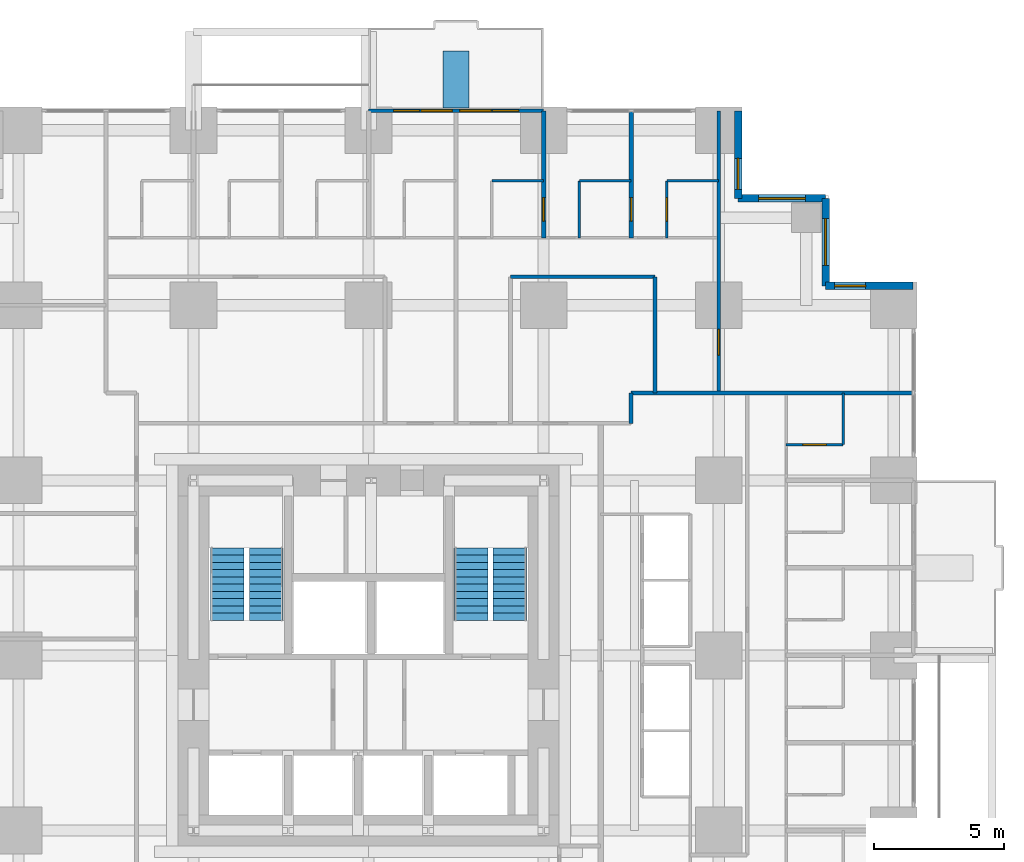
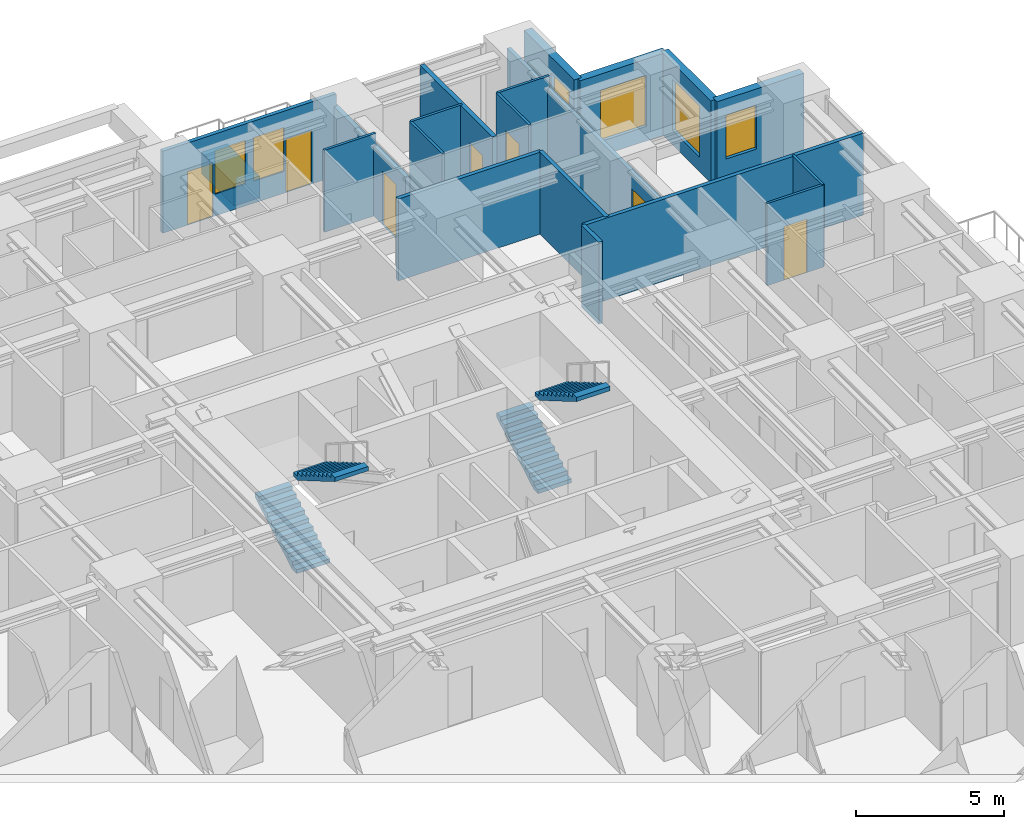
# One storey, part 13 of 14: 20 walls, 7 doors, 6 windows, 4 stair flights, 13 openings, 2 elements without a shape of their own.
"""IFC4 building model written with IfcOpenShell, lengths in metres."""

from ifc_helpers import new_model, si_unit, direction, frame, frame_2d, origin, place, context, subcontext, project, spatial, polyline, rectangle, outline, extrude, material, layer, layer_set, type_object, element, fill, aggregate, save


model = new_model("IFC4")

# Units and contexts
model_context = context("Model", 3, precision=1e-05, world=origin(), true_north=direction((0.0, 1.0)))
body_context = subcontext(model_context, "Body", "Model", "MODEL_VIEW")
ifc_project = project(units=[si_unit("LENGTHUNIT", "METRE"), si_unit("AREAUNIT", "SQUARE_METRE"), si_unit("VOLUMEUNIT", "CUBIC_METRE"), si_unit("PLANEANGLEUNIT", "RADIAN"), si_unit("MASSUNIT", "GRAM", prefix="KILO")], contexts=[model_context])

# Site, building, storey
site_placement = place(None, origin())
site = spatial("IfcSite", under=ifc_project, at=site_placement, CompositionType="ELEMENT")
building_placement = place(site_placement, origin())
building = spatial("IfcBuilding", under=site, at=building_placement, Name="Nyansa Garden Tower", CompositionType="ELEMENT")
storey_placement = place(building_placement, frame((0.0, 0.0, 57.60009765625)))
storey = spatial("IfcBuildingStorey", under=building, at=storey_placement, Name="L15", CompositionType="ELEMENT", Elevation=57.60009765625)

# Wall, opening, door
ifc_material_1 = material(Name="Dense blockwork, plastered both sides, 55 dB", Category="masonry")
ifc_layer_1 = layer(ifc_material_1, 0.175048828125)
ifc_layer_set_1 = layer_set([ifc_layer_1], Name="Acoustic party wall PW175")
wall_type_1 = type_object("IfcWallType", Name="Acoustic party wall PW175", PredefinedType="PARTITIONING", material=ifc_layer_set_1)
wall_1_placement = place(storey_placement, frame((27.0, 36.35009765625, 0.0), z_axis=(0.0, 0.0, 1.0), x_axis=(0.0, 1.0, 0.0)))
wall_1 = element("IfcWall", 1, at=wall_1_placement, inside=storey, type_object=wall_type_1, Name="Party wall", PredefinedType="PARTITIONING", context=body_context, shape_type="SweptSolid", body=[
    extrude(rectangle(XDim=4.8837890625, YDim=0.175048828125, at=frame_2d((2.44189453125, 0.0))), origin(), (0.0, 0.0, 1.0), 2.876953125),
])
opening_1_placement = place(wall_1_placement, frame((0.64990234375, 0.0, 0.0)))
opening_1 = element("IfcOpeningElement", 2, at=opening_1_placement, cuts=wall_1, Name="Opening D02", PredefinedType="OPENING", context=body_context, shape_type="SweptSolid", body=[
    extrude(rectangle(XDim=0.89990234375, YDim=2.199951171875, at=frame_2d((0.449951171875, 1.10009765625))), frame((0.0, 0.097412109375, 0.0), z_axis=(0.0, -1.0, 0.0), x_axis=(1.0, 0.0, 0.0)), (0.0, 0.0, 1.0), 0.195068359375),
])
ifc_material_2 = material(Name="Timber flush door", Category="wood")
door_type_1 = type_object("IfcDoorType", Name="En-suite door D02 900x2200", OperationType="SINGLE_SWING_RIGHT", PredefinedType="DOOR", material=ifc_material_2)
door_1_placement = place(opening_1_placement, origin())
door_1 = element("IfcDoor", 3, at=door_1_placement, inside=storey, type_object=door_type_1, Name="Door L15-055", OperationType="SINGLE_SWING_RIGHT", OverallHeight=2.199951171875, OverallWidth=0.89990234375, PredefinedType="DOOR", context=body_context, shape_type="SweptSolid", body=[
    extrude(rectangle(XDim=0.89990234375, YDim=2.199951171875, at=frame_2d((0.449951171875, 1.10009765625))), frame((0.0, 0.02490234375, 0.0), z_axis=(0.0, -1.0, 0.0), x_axis=(1.0, 0.0, 0.0)), (0.0, 0.0, 1.0), 0.050048828125),
])
fill(opening_1, door_1)

wall_2_placement = place(storey_placement, frame((30.375, 36.35009765625, 0.0), z_axis=(0.0, 0.0, 1.0), x_axis=(0.0, 1.0, 0.0)))
wall_2 = element("IfcWall", 4, at=wall_2_placement, inside=storey, type_object=wall_type_1, Name="Party wall", PredefinedType="PARTITIONING", context=body_context, shape_type="SweptSolid", body=[
    extrude(rectangle(XDim=4.8837890625, YDim=0.175048828125, at=frame_2d((2.44189453125, 0.0))), origin(), (0.0, 0.0, 1.0), 3.375),
])
opening_2_placement = place(wall_2_placement, frame((0.64990234375, 0.0, 0.0)))
opening_2 = element("IfcOpeningElement", 5, at=opening_2_placement, cuts=wall_2, Name="Opening D02", PredefinedType="OPENING", context=body_context, shape_type="SweptSolid", body=[
    extrude(rectangle(XDim=0.89990234375, YDim=2.199951171875, at=frame_2d((0.449951171875, 1.10009765625))), frame((0.0, 0.097412109375, 0.0), z_axis=(0.0, -1.0, 0.0), x_axis=(1.0, 0.0, 0.0)), (0.0, 0.0, 1.0), 0.195068359375),
])
door_2_placement = place(opening_2_placement, origin())
door_2 = element("IfcDoor", 6, at=door_2_placement, inside=storey, type_object=door_type_1, Name="Door L15-053", OperationType="SINGLE_SWING_RIGHT", OverallHeight=2.199951171875, OverallWidth=0.89990234375, PredefinedType="DOOR", context=body_context, shape_type="SweptSolid", body=[
    extrude(rectangle(XDim=0.89990234375, YDim=2.199951171875, at=frame_2d((0.449951171875, 1.10009765625))), frame((0.0, 0.02490234375, 0.0), z_axis=(0.0, -1.0, 0.0), x_axis=(1.0, 0.0, 0.0)), (0.0, 0.0, 1.0), 0.050048828125),
])
fill(opening_2, door_2)

# Wall, openings, doors, windows
ifc_material_3 = material(Name="Black aluminium framed glazed screen", Category="aluminium")
ifc_layer_2 = layer(ifc_material_3, 0.14990234375)
ifc_layer_set_2 = layer_set([ifc_layer_2], Name="Balcony screen wall BW150")
wall_type_2 = type_object("IfcWallType", Name="Balcony screen wall BW150", PredefinedType="SOLIDWALL", material=ifc_layer_set_2)
wall_3_placement = place(storey_placement, frame((20.25, 41.25, 0.0), z_axis=(0.0, 0.0, 1.0), x_axis=(1.0, 0.0, 0.0)))
wall_3 = element("IfcWall", 7, at=wall_3_placement, inside=storey, type_object=wall_type_2, Name="Glazed screen wall L15 N", PredefinedType="SOLIDWALL", context=body_context, shape_type="SweptSolid", body=[
    extrude(rectangle(XDim=6.75, YDim=0.14990234375, at=frame_2d((3.375, 0.0))), origin(), (0.0, 0.0, 1.0), 3.375),
])
opening_3_placement = place(wall_3_placement, frame((0.96240234375, 0.0, 0.0)))
opening_3 = element("IfcOpeningElement", 8, at=opening_3_placement, cuts=wall_3, Name="Opening D20", PredefinedType="OPENING", context=body_context, shape_type="SweptSolid", body=[
    extrude(rectangle(XDim=1.0, YDim=2.199951171875, at=frame_2d((0.5, 1.10009765625))), frame((0.0, 0.0849609375, 0.0), z_axis=(0.0, -1.0, 0.0), x_axis=(1.0, 0.0, 0.0)), (0.0, 0.0, 1.0), 0.169921875),
])
opening_4_placement = place(wall_3_placement, frame((2.02490234375, 0.0, 0.89990234375)))
opening_4 = element("IfcOpeningElement", 9, at=opening_4_placement, cuts=wall_3, Name="Opening W6", PredefinedType="OPENING", context=body_context, shape_type="SweptSolid", body=[
    extrude(rectangle(XDim=1.199951171875, YDim=1.800048828125, at=frame_2d((0.60009765625, 0.89990234375))), frame((0.0, 0.0849609375, 0.0), z_axis=(0.0, -1.0, 0.0), x_axis=(1.0, 0.0, 0.0)), (0.0, 0.0, 1.0), 0.169921875),
])
opening_5_placement = place(wall_3_placement, frame((4.78759765625, 0.0, 0.0)))
opening_5 = element("IfcOpeningElement", 10, at=opening_5_placement, cuts=wall_3, Name="Opening D20", PredefinedType="OPENING", context=body_context, shape_type="SweptSolid", body=[
    extrude(rectangle(XDim=1.0, YDim=2.199951171875, at=frame_2d((0.5, 1.10009765625))), frame((0.0, 0.0849609375, 0.0), z_axis=(0.0, -1.0, 0.0), x_axis=(1.0, 0.0, 0.0)), (0.0, 0.0, 1.0), 0.169921875),
])
opening_6_placement = place(wall_3_placement, frame((3.52490234375, 0.0, 0.89990234375)))
opening_6 = element("IfcOpeningElement", 11, at=opening_6_placement, cuts=wall_3, Name="Opening W6", PredefinedType="OPENING", context=body_context, shape_type="SweptSolid", body=[
    extrude(rectangle(XDim=1.199951171875, YDim=1.800048828125, at=frame_2d((0.60009765625, 0.89990234375))), frame((0.0, 0.0849609375, 0.0), z_axis=(0.0, -1.0, 0.0), x_axis=(1.0, 0.0, 0.0)), (0.0, 0.0, 1.0), 0.169921875),
])
ifc_material_4 = material(Name="Black aluminium framed glazed door", Category="aluminium")
door_type_2 = type_object("IfcDoorType", Name="Balcony door D20 1000x2200", OperationType="NOTDEFINED", PredefinedType="DOOR", material=ifc_material_4)
door_3_placement = place(opening_3_placement, origin())
door_3 = element("IfcDoor", 12, at=door_3_placement, inside=storey, type_object=door_type_2, Name="Balcony door L15", OperationType="SINGLE_SWING_LEFT", OverallHeight=2.199951171875, OverallWidth=1.0, PredefinedType="DOOR", context=body_context, shape_type="SweptSolid", body=[
    extrude(rectangle(XDim=1.0, YDim=2.199951171875, at=frame_2d((0.5, 1.10009765625))), frame((0.0, 0.02490234375, 0.0), z_axis=(0.0, -1.0, 0.0), x_axis=(1.0, 0.0, 0.0)), (0.0, 0.0, 1.0), 0.050048828125),
])
fill(opening_3, door_3)
door_4_placement = place(opening_5_placement, origin())
door_4 = element("IfcDoor", 13, at=door_4_placement, inside=storey, type_object=door_type_2, Name="Balcony door L15", OperationType="SINGLE_SWING_RIGHT", OverallHeight=2.199951171875, OverallWidth=1.0, PredefinedType="DOOR", context=body_context, shape_type="SweptSolid", body=[
    extrude(rectangle(XDim=1.0, YDim=2.199951171875, at=frame_2d((0.5, 1.10009765625))), frame((0.0, 0.02490234375, 0.0), z_axis=(0.0, -1.0, 0.0), x_axis=(1.0, 0.0, 0.0)), (0.0, 0.0, 1.0), 0.050048828125),
])
fill(opening_5, door_4)
ifc_material_5 = material(Name="Black aluminium frame, dark tinted double glazing", Category="aluminium")
window_type_1 = type_object("IfcWindowType", Name="Balcony window W6 1200x1800", PartitioningType="SINGLE_PANEL", PredefinedType="WINDOW", material=ifc_material_5)
window_1_placement = place(opening_4_placement, origin())
window_1 = element("IfcWindow", 14, at=window_1_placement, inside=storey, type_object=window_type_1, Name="Window L15", OverallHeight=1.800048828125, OverallWidth=1.199951171875, PartitioningType="SINGLE_PANEL", PredefinedType="WINDOW", context=body_context, shape_type="SweptSolid", body=[
    extrude(rectangle(XDim=1.199951171875, YDim=1.800048828125, at=frame_2d((0.60009765625, 0.89990234375))), frame((0.0, 0.030029296875, 0.0), z_axis=(0.0, -1.0, 0.0), x_axis=(1.0, 0.0, 0.0)), (0.0, 0.0, 1.0), 0.06005859375),
])
fill(opening_4, window_1)
window_2_placement = place(opening_6_placement, origin())
window_2 = element("IfcWindow", 15, at=window_2_placement, inside=storey, type_object=window_type_1, Name="Window L15", OverallHeight=1.800048828125, OverallWidth=1.199951171875, PartitioningType="SINGLE_PANEL", PredefinedType="WINDOW", context=body_context, shape_type="SweptSolid", body=[
    extrude(rectangle(XDim=1.199951171875, YDim=1.800048828125, at=frame_2d((0.60009765625, 0.89990234375))), frame((0.0, 0.030029296875, 0.0), z_axis=(0.0, -1.0, 0.0), x_axis=(1.0, 0.0, 0.0)), (0.0, 0.0, 1.0), 0.06005859375),
])
fill(opening_6, window_2)

# Walls
ifc_material_6 = material(Name="Blockwork, plastered both sides", Category="masonry")
ifc_layer_3 = layer(ifc_material_6, 0.14990234375)
ifc_layer_set_3 = layer_set([ifc_layer_3], Name="Partition PW150")
wall_type_3 = type_object("IfcWallType", Name="Partition PW150", PredefinedType="PARTITIONING", material=ifc_layer_set_3)
wall_4_placement = place(storey_placement, frame((25.72509765625, 34.85009765625, 0.0), z_axis=(0.0, 0.0, 1.0), x_axis=(1.0, 0.0, 0.0)))
element("IfcWall", 16, at=wall_4_placement, inside=storey, type_object=wall_type_3, Name="Partition", PredefinedType="PARTITIONING", context=body_context, shape_type="SweptSolid", body=[
    extrude(rectangle(XDim=5.574951171875, YDim=0.14990234375, at=frame_2d((2.78759765625, 0.0))), origin(), (0.0, 0.0, 1.0), 3.375),
])
wall_5_placement = place(storey_placement, frame((30.375, 29.199951171875, 0.0), z_axis=(0.0, 0.0, 1.0), x_axis=(0.0, 1.0, 0.0)))
element("IfcWall", 17, at=wall_5_placement, inside=storey, type_object=wall_type_3, Name="Partition", PredefinedType="PARTITIONING", context=body_context, shape_type="SweptSolid", body=[
    extrude(rectangle(XDim=1.175048828125, YDim=0.14990234375, at=frame_2d((0.58740234375, 0.0))), origin(), (0.0, 0.0, 1.0), 3.375),
])
wall_6_placement = place(storey_placement, frame((30.375, 30.375, 0.0), z_axis=(0.0, 0.0, 1.0), x_axis=(1.0, 0.0, 0.0)))
element("IfcWall", 18, at=wall_6_placement, inside=storey, type_object=wall_type_3, Name="Partition", PredefinedType="PARTITIONING", context=body_context, shape_type="SweptSolid", body=[
    extrude(rectangle(XDim=10.85888671875, YDim=0.14990234375, at=frame_2d((5.429443359375, 0.0))), origin(), (0.0, 0.0, 1.0), 3.375),
])
wall_7_placement = place(storey_placement, frame((31.300048828125, 30.375, 0.0), z_axis=(0.0, 0.0, 1.0), x_axis=(0.0, 1.0, 0.0)))
element("IfcWall", 19, at=wall_7_placement, inside=storey, type_object=wall_type_3, Name="Partition", PredefinedType="PARTITIONING", context=body_context, shape_type="SweptSolid", body=[
    extrude(rectangle(XDim=4.47509765625, YDim=0.14990234375, at=frame_2d((2.237548828125, 0.0))), origin(), (0.0, 0.0, 1.0), 3.375),
])

# Wall, opening, door
wall_8_placement = place(storey_placement, frame((33.75, 30.375, 0.0), z_axis=(0.0, 0.0, 1.0), x_axis=(0.0, 1.0, 0.0)))
wall_8 = element("IfcWall", 20, at=wall_8_placement, inside=storey, type_object=wall_type_3, Name="Partition", PredefinedType="PARTITIONING", context=body_context, shape_type="SweptSolid", body=[
    extrude(rectangle(XDim=10.85888671875, YDim=0.14990234375, at=frame_2d((5.429443359375, 0.0))), origin(), (0.0, 0.0, 1.0), 2.876953125),
])
opening_7_placement = place(wall_8_placement, frame((1.449951171875, 0.0, 0.0)))
opening_7 = element("IfcOpeningElement", 21, at=opening_7_placement, cuts=wall_8, Name="Opening D03", PredefinedType="OPENING", context=body_context, shape_type="SweptSolid", body=[
    extrude(rectangle(XDim=1.0, YDim=2.199951171875, at=frame_2d((0.5, 1.10009765625))), frame((0.0, 0.0849609375, 0.0), z_axis=(0.0, -1.0, 0.0), x_axis=(1.0, 0.0, 0.0)), (0.0, 0.0, 1.0), 0.169921875),
])
ifc_material_7 = material(Name="Timber flush door, 60 minute fire resisting", Category="wood")
door_type_3 = type_object("IfcDoorType", Name="Cluster entrance door D03 1000x2200", OperationType="SINGLE_SWING_LEFT", PredefinedType="DOOR", material=ifc_material_7)
door_5_placement = place(opening_7_placement, origin())
door_5 = element("IfcDoor", 22, at=door_5_placement, inside=storey, type_object=door_type_3, Name="Door L15-049", OperationType="SINGLE_SWING_LEFT", OverallHeight=2.199951171875, OverallWidth=1.0, PredefinedType="DOOR", context=body_context, shape_type="SweptSolid", body=[
    extrude(rectangle(XDim=1.0, YDim=2.199951171875, at=frame_2d((0.5, 1.10009765625))), frame((0.0, 0.02490234375, 0.0), z_axis=(0.0, -1.0, 0.0), x_axis=(1.0, 0.0, 0.0)), (0.0, 0.0, 1.0), 0.050048828125),
])
fill(opening_7, door_5)

# Wall, opening, window
ifc_material_8 = material(Name="Turquoise glazed tile on concrete blockwork", Category="masonry")
ifc_layer_4 = layer(ifc_material_8, 0.300048828125)
ifc_layer_set_4 = layer_set([ifc_layer_4], Name="Tiled corner wall TW300")
wall_type_4 = type_object("IfcWallType", Name="Tiled corner wall TW300", PredefinedType="SOLIDWALL", material=ifc_layer_set_4)
wall_9_placement = place(storey_placement, frame((41.25, 34.5, 0.0), z_axis=(0.0, 0.0, 1.0), x_axis=(-1.0, 0.0, 0.0)))
wall_9 = element("IfcWall", 23, at=wall_9_placement, inside=storey, type_object=wall_type_4, Name="Tiled corner wall L15", PredefinedType="SOLIDWALL", context=body_context, shape_type="SweptSolid", body=[
    extrude(rectangle(XDim=3.375, YDim=0.300048828125, at=frame_2d((1.6875, 0.0))), origin(), (0.0, 0.0, 1.0), 3.375),
])
opening_8_placement = place(wall_9_placement, frame((1.83251953125, 0.0, 0.89990234375)))
opening_8 = element("IfcOpeningElement", 24, at=opening_8_placement, cuts=wall_9, Name="Opening W4", PredefinedType="OPENING", context=body_context, shape_type="SweptSolid", body=[
    extrude(rectangle(XDim=1.199951171875, YDim=1.800048828125, at=frame_2d((0.60009765625, 0.89990234375))), frame((0.0, 0.159912109375, 0.0), z_axis=(0.0, -1.0, 0.0), x_axis=(1.0, 0.0, 0.0)), (0.0, 0.0, 1.0), 0.320068359375),
])
ifc_material_9 = material(Name="Black aluminium frame, dark tinted double glazing", Category="aluminium")
window_type_2 = type_object("IfcWindowType", Name="Window W4 1200x1800", PartitioningType="SINGLE_PANEL", PredefinedType="WINDOW", material=ifc_material_9)
window_3_placement = place(opening_8_placement, origin())
window_3 = element("IfcWindow", 25, at=window_3_placement, inside=storey, type_object=window_type_2, Name="Corner window L15", OverallHeight=1.800048828125, OverallWidth=1.199951171875, PartitioningType="SINGLE_PANEL", PredefinedType="WINDOW", context=body_context, shape_type="SweptSolid", body=[
    extrude(rectangle(XDim=1.199951171875, YDim=1.800048828125, at=frame_2d((0.60009765625, 0.89990234375))), frame((0.0, 0.030029296875, 0.0), z_axis=(0.0, -1.0, 0.0), x_axis=(1.0, 0.0, 0.0)), (0.0, 0.0, 1.0), 0.06005859375),
])
fill(opening_8, window_3)

wall_10_placement = place(storey_placement, frame((37.875, 34.5, 0.0), z_axis=(0.0, 0.0, 1.0), x_axis=(0.0, 1.0, 0.0)))
wall_10 = element("IfcWall", 26, at=wall_10_placement, inside=storey, type_object=wall_type_4, Name="Tiled corner wall L15", PredefinedType="SOLIDWALL", context=body_context, shape_type="SweptSolid", body=[
    extrude(rectangle(XDim=3.375, YDim=0.300048828125, at=frame_2d((1.6875, 0.0))), origin(), (0.0, 0.0, 1.0), 3.375),
])
opening_9_placement = place(wall_10_placement, frame((0.78759765625, 0.0, 0.60009765625)))
opening_9 = element("IfcOpeningElement", 27, at=opening_9_placement, cuts=wall_10, Name="Opening W2", PredefinedType="OPENING", context=body_context, shape_type="SweptSolid", body=[
    extrude(rectangle(XDim=1.800048828125, YDim=2.10009765625, at=frame_2d((0.89990234375, 1.050048828125))), frame((0.0, 0.159912109375, 0.0), z_axis=(0.0, -1.0, 0.0), x_axis=(1.0, 0.0, 0.0)), (0.0, 0.0, 1.0), 0.320068359375),
])
ifc_material_10 = material(Name="Black aluminium frame, dark tinted double glazing", Category="aluminium")
window_type_3 = type_object("IfcWindowType", Name="Window W2 1800x2100", PartitioningType="SINGLE_PANEL", PredefinedType="WINDOW", material=ifc_material_10)
window_4_placement = place(opening_9_placement, origin())
window_4 = element("IfcWindow", 28, at=window_4_placement, inside=storey, type_object=window_type_3, Name="Corner window L15", OverallHeight=2.10009765625, OverallWidth=1.800048828125, PartitioningType="SINGLE_PANEL", PredefinedType="WINDOW", context=body_context, shape_type="SweptSolid", body=[
    extrude(rectangle(XDim=1.800048828125, YDim=2.10009765625, at=frame_2d((0.89990234375, 1.050048828125))), frame((0.0, 0.030029296875, 0.0), z_axis=(0.0, -1.0, 0.0), x_axis=(1.0, 0.0, 0.0)), (0.0, 0.0, 1.0), 0.06005859375),
])
fill(opening_9, window_4)

wall_11_placement = place(storey_placement, frame((37.875, 37.875, 0.0), z_axis=(0.0, 0.0, 1.0), x_axis=(-1.0, 0.0, 0.0)))
wall_11 = element("IfcWall", 29, at=wall_11_placement, inside=storey, type_object=wall_type_4, Name="Tiled corner wall L15", PredefinedType="SOLIDWALL", context=body_context, shape_type="SweptSolid", body=[
    extrude(rectangle(XDim=3.375, YDim=0.300048828125, at=frame_2d((1.6875, 0.0))), origin(), (0.0, 0.0, 1.0), 3.375),
])
opening_10_placement = place(wall_11_placement, frame((0.78759765625, 0.0, 0.60009765625)))
opening_10 = element("IfcOpeningElement", 30, at=opening_10_placement, cuts=wall_11, Name="Opening W2", PredefinedType="OPENING", context=body_context, shape_type="SweptSolid", body=[
    extrude(rectangle(XDim=1.800048828125, YDim=2.10009765625, at=frame_2d((0.89990234375, 1.050048828125))), frame((0.0, 0.159912109375, 0.0), z_axis=(0.0, -1.0, 0.0), x_axis=(1.0, 0.0, 0.0)), (0.0, 0.0, 1.0), 0.320068359375),
])
window_5_placement = place(opening_10_placement, origin())
window_5 = element("IfcWindow", 31, at=window_5_placement, inside=storey, type_object=window_type_3, Name="Corner window L15", OverallHeight=2.10009765625, OverallWidth=1.800048828125, PartitioningType="SINGLE_PANEL", PredefinedType="WINDOW", context=body_context, shape_type="SweptSolid", body=[
    extrude(rectangle(XDim=1.800048828125, YDim=2.10009765625, at=frame_2d((0.89990234375, 1.050048828125))), frame((0.0, 0.030029296875, 0.0), z_axis=(0.0, -1.0, 0.0), x_axis=(1.0, 0.0, 0.0)), (0.0, 0.0, 1.0), 0.06005859375),
])
fill(opening_10, window_5)

wall_12_placement = place(storey_placement, frame((34.5, 37.875, 0.0), z_axis=(0.0, 0.0, 1.0), x_axis=(0.0, 1.0, 0.0)))
wall_12 = element("IfcWall", 32, at=wall_12_placement, inside=storey, type_object=wall_type_4, Name="Tiled corner wall L15", PredefinedType="SOLIDWALL", context=body_context, shape_type="SweptSolid", body=[
    extrude(rectangle(XDim=3.375, YDim=0.300048828125, at=frame_2d((1.6875, 0.0))), origin(), (0.0, 0.0, 1.0), 3.375),
])
opening_11_placement = place(wall_12_placement, frame((0.342529296875, 0.0, 0.89990234375)))
opening_11 = element("IfcOpeningElement", 33, at=opening_11_placement, cuts=wall_12, Name="Opening W4", PredefinedType="OPENING", context=body_context, shape_type="SweptSolid", body=[
    extrude(rectangle(XDim=1.199951171875, YDim=1.800048828125, at=frame_2d((0.60009765625, 0.89990234375))), frame((0.0, 0.159912109375, 0.0), z_axis=(0.0, -1.0, 0.0), x_axis=(1.0, 0.0, 0.0)), (0.0, 0.0, 1.0), 0.320068359375),
])
window_6_placement = place(opening_11_placement, origin())
window_6 = element("IfcWindow", 34, at=window_6_placement, inside=storey, type_object=window_type_2, Name="Corner window L15", OverallHeight=1.800048828125, OverallWidth=1.199951171875, PartitioningType="SINGLE_PANEL", PredefinedType="WINDOW", context=body_context, shape_type="SweptSolid", body=[
    extrude(rectangle(XDim=1.199951171875, YDim=1.800048828125, at=frame_2d((0.60009765625, 0.89990234375))), frame((0.0, 0.030029296875, 0.0), z_axis=(0.0, -1.0, 0.0), x_axis=(1.0, 0.0, 0.0)), (0.0, 0.0, 1.0), 0.06005859375),
])
fill(opening_11, window_6)

# Walls
ifc_material_11 = material(Name="Concrete C40/50 planter, waterproofed", Category="concrete")
ifc_layer_5 = layer(ifc_material_11, 1.0)
ifc_layer_set_5 = layer_set([ifc_layer_5], Name="Tree planter TP1")
wall_type_5 = type_object("IfcWallType", Name="Tree planter TP1", PredefinedType="USERDEFINED", material=ifc_layer_set_5)
wall_13_placement = place(storey_placement, frame((23.625, 41.35009765625, 0.0), z_axis=(0.0, 0.0, 1.0), x_axis=(0.0, 1.0, 0.0)))
element("IfcWall", 35, at=wall_13_placement, inside=storey, type_object=wall_type_5, Name="Tree planter L15", ObjectType="TREE PLANTER", PredefinedType="USERDEFINED", context=body_context, shape_type="SweptSolid", body=[
    extrude(rectangle(XDim=2.199951171875, YDim=1.0, at=frame_2d((1.10009765625, 0.0))), origin(), (0.0, 0.0, 1.0), 0.89990234375),
])
ifc_material_12 = material(Name="Moisture resistant board on steel studs, tiled", Category="steel")
ifc_layer_6 = layer(ifc_material_12, 0.10009765625)
ifc_layer_set_6 = layer_set([ifc_layer_6], Name="Wet wall PW100")
wall_type_6 = type_object("IfcWallType", Name="Wet wall PW100", PredefinedType="PARTITIONING", material=ifc_layer_set_6)
wall_14_placement = place(storey_placement, frame((25.0, 38.550048828125, 0.0), z_axis=(0.0, 0.0, 1.0), x_axis=(1.0, 0.0, 0.0)))
element("IfcWall", 36, at=wall_14_placement, inside=storey, type_object=wall_type_6, Name="Wet wall", PredefinedType="PARTITIONING", context=body_context, shape_type="SweptSolid", body=[
    extrude(rectangle(XDim=2.0, YDim=0.10009765625, at=frame_2d((1.0, 0.0))), origin(), (0.0, 0.0, 1.0), 3.375),
])
wall_15_placement = place(storey_placement, frame((28.375, 36.35009765625, 0.0), z_axis=(0.0, 0.0, 1.0), x_axis=(0.0, 1.0, 0.0)))
element("IfcWall", 37, at=wall_15_placement, inside=storey, type_object=wall_type_6, Name="Wet wall", PredefinedType="PARTITIONING", context=body_context, shape_type="SweptSolid", body=[
    extrude(rectangle(XDim=2.199951171875, YDim=0.10009765625, at=frame_2d((1.10009765625, 0.0))), origin(), (0.0, 0.0, 1.0), 3.375),
])
wall_16_placement = place(storey_placement, frame((28.375, 38.550048828125, 0.0), z_axis=(0.0, 0.0, 1.0), x_axis=(1.0, 0.0, 0.0)))
element("IfcWall", 38, at=wall_16_placement, inside=storey, type_object=wall_type_6, Name="Wet wall", PredefinedType="PARTITIONING", context=body_context, shape_type="SweptSolid", body=[
    extrude(rectangle(XDim=2.0, YDim=0.10009765625, at=frame_2d((1.0, 0.0))), origin(), (0.0, 0.0, 1.0), 3.375),
])

# Wall, opening, door
wall_17_placement = place(storey_placement, frame((31.75, 36.35009765625, 0.0), z_axis=(0.0, 0.0, 1.0), x_axis=(0.0, 1.0, 0.0)))
wall_17 = element("IfcWall", 39, at=wall_17_placement, inside=storey, type_object=wall_type_6, Name="Wet wall", PredefinedType="PARTITIONING", context=body_context, shape_type="SweptSolid", body=[
    extrude(rectangle(XDim=2.199951171875, YDim=0.10009765625, at=frame_2d((1.10009765625, 0.0))), origin(), (0.0, 0.0, 1.0), 3.375),
])
opening_12_placement = place(wall_17_placement, frame((0.64990234375, 0.0, 0.0)))
opening_12 = element("IfcOpeningElement", 40, at=opening_12_placement, cuts=wall_17, Name="Opening D02", PredefinedType="OPENING", context=body_context, shape_type="SweptSolid", body=[
    extrude(rectangle(XDim=0.89990234375, YDim=2.199951171875, at=frame_2d((0.449951171875, 1.10009765625))), frame((0.0, 0.06005859375, 0.0), z_axis=(0.0, -1.0, 0.0), x_axis=(1.0, 0.0, 0.0)), (0.0, 0.0, 1.0), 0.1201171875),
])
door_6_placement = place(opening_12_placement, origin())
door_6 = element("IfcDoor", 41, at=door_6_placement, inside=storey, type_object=door_type_1, Name="Door L15-051", OperationType="SINGLE_SWING_RIGHT", OverallHeight=2.199951171875, OverallWidth=0.89990234375, PredefinedType="DOOR", context=body_context, shape_type="SweptSolid", body=[
    extrude(rectangle(XDim=0.89990234375, YDim=2.199951171875, at=frame_2d((0.449951171875, 1.10009765625))), frame((0.0, 0.02490234375, 0.0), z_axis=(0.0, -1.0, 0.0), x_axis=(1.0, 0.0, 0.0)), (0.0, 0.0, 1.0), 0.050048828125),
])
fill(opening_12, door_6)

# Wall
wall_18_placement = place(storey_placement, frame((31.75, 38.550048828125, 0.0), z_axis=(0.0, 0.0, 1.0), x_axis=(1.0, 0.0, 0.0)))
element("IfcWall", 42, at=wall_18_placement, inside=storey, type_object=wall_type_6, Name="Wet wall", PredefinedType="PARTITIONING", context=body_context, shape_type="SweptSolid", body=[
    extrude(rectangle(XDim=2.0, YDim=0.10009765625, at=frame_2d((1.0, 0.0))), origin(), (0.0, 0.0, 1.0), 3.375),
])

# Wall, opening, door
wall_19_placement = place(storey_placement, frame((36.35009765625, 28.375, 0.0), z_axis=(0.0, 0.0, 1.0), x_axis=(1.0, 0.0, 0.0)))
wall_19 = element("IfcWall", 43, at=wall_19_placement, inside=storey, type_object=wall_type_6, Name="Wet wall", PredefinedType="PARTITIONING", context=body_context, shape_type="SweptSolid", body=[
    extrude(rectangle(XDim=2.199951171875, YDim=0.10009765625, at=frame_2d((1.10009765625, 0.0))), origin(), (0.0, 0.0, 1.0), 3.375),
])
opening_13_placement = place(wall_19_placement, frame((0.64990234375, 0.0, 0.0)))
opening_13 = element("IfcOpeningElement", 44, at=opening_13_placement, cuts=wall_19, Name="Opening D02", PredefinedType="OPENING", context=body_context, shape_type="SweptSolid", body=[
    extrude(rectangle(XDim=0.89990234375, YDim=2.199951171875, at=frame_2d((0.449951171875, 1.10009765625))), frame((0.0, 0.06005859375, 0.0), z_axis=(0.0, -1.0, 0.0), x_axis=(1.0, 0.0, 0.0)), (0.0, 0.0, 1.0), 0.1201171875),
])
door_7_placement = place(opening_13_placement, origin())
door_7 = element("IfcDoor", 45, at=door_7_placement, inside=storey, type_object=door_type_1, Name="Door L15-046", OperationType="SINGLE_SWING_RIGHT", OverallHeight=2.199951171875, OverallWidth=0.89990234375, PredefinedType="DOOR", context=body_context, shape_type="SweptSolid", body=[
    extrude(rectangle(XDim=0.89990234375, YDim=2.199951171875, at=frame_2d((0.449951171875, 1.10009765625))), frame((0.0, 0.02490234375, 0.0), z_axis=(0.0, -1.0, 0.0), x_axis=(1.0, 0.0, 0.0)), (0.0, 0.0, 1.0), 0.050048828125),
])
fill(opening_13, door_7)

# Wall
wall_20_placement = place(storey_placement, frame((38.550048828125, 28.375, 0.0), z_axis=(0.0, 0.0, 1.0), x_axis=(0.0, 1.0, 0.0)))
element("IfcWall", 46, at=wall_20_placement, inside=storey, type_object=wall_type_6, Name="Wet wall", PredefinedType="PARTITIONING", context=body_context, shape_type="SweptSolid", body=[
    extrude(rectangle(XDim=2.0, YDim=0.10009765625, at=frame_2d((1.0, 0.0))), origin(), (0.0, 0.0, 1.0), 3.375),
])

# Stair, stair flights
ifc_material_13 = material(Name="Precast concrete C40/50", Category="concrete")
stair_type_1 = type_object("IfcStairType", Name="Stair S1 164x280", PredefinedType="HALF_TURN_STAIR", material=ifc_material_13)
stair_1_placement = place(storey_placement, origin())
stair_1 = element("IfcStair", 47, at=stair_1_placement, inside=storey, type_object=stair_type_1, Name="Stair S1 L15", PredefinedType="HALF_TURN_STAIR")
ifc_material_14 = material(Name="Precast concrete C40/50", Category="concrete")
stair_flight_type_1 = type_object("IfcStairFlightType", Name="Stair flight S1 164x280x11", PredefinedType="STRAIGHT", material=ifc_material_14)
stair_flight_1_placement = place(storey_placement, frame((14.800048828125, 21.60009765625, 0.0), z_axis=(0.0, 0.0, 1.0), x_axis=(0.0, 1.0, 0.0)))
stair_flight_1 = element("IfcStairFlight", 48, at=stair_flight_1_placement, type_object=stair_flight_type_1, Name="S1 flight 1", NumberOfRisers=11, NumberOfTreads=10, PredefinedType="STRAIGHT", RiserHeight=0.163636364, TreadLength=0.28, context=body_context, shape_type="SweptSolid", body=[
    extrude(outline(polyline([(0.0, 0.0), (0.0, 0.16357421875), (0.280029296875, 0.16357421875), (0.280029296875, 0.327392578125), (0.56005859375, 0.327392578125), (0.56005859375, 0.490966796875), (0.840087890625, 0.490966796875), (0.840087890625, 0.654541015625), (1.1201171875, 0.654541015625), (1.1201171875, 0.818115234375), (1.39990234375, 0.818115234375), (1.39990234375, 0.98193359375), (1.679931640625, 0.98193359375), (1.679931640625, 1.1455078125), (1.9599609375, 1.1455078125), (1.9599609375, 1.30908203125), (2.239990234375, 1.30908203125), (2.239990234375, 1.47265625), (2.52001953125, 1.47265625), (2.52001953125, 1.636474609375), (2.800048828125, 1.636474609375), (2.800048828125, 1.800048828125), (2.800048828125, 1.462646484375), (0.297119140625, 0.0), (0.0, 0.0)])), frame((0.0, 0.64990234375, 0.0), z_axis=(0.0, -1.0, 0.0), x_axis=(1.0, 0.0, 0.0)), (0.0, 0.0, 1.0), 1.300048828125),
])
stair_flight_2_placement = place(storey_placement, frame((16.300048828125, 24.39990234375, 1.7998046875), z_axis=(0.0, 0.0, 1.0), x_axis=(0.0, -1.0, 0.0)))
stair_flight_2 = element("IfcStairFlight", 49, at=stair_flight_2_placement, type_object=stair_flight_type_1, Name="S1 flight 2", NumberOfRisers=11, NumberOfTreads=10, PredefinedType="STRAIGHT", RiserHeight=0.163636364, TreadLength=0.28, context=body_context, shape_type="SweptSolid", body=[
    extrude(outline(polyline([(0.0, 0.0), (0.0, 0.16357421875), (0.280029296875, 0.16357421875), (0.280029296875, 0.327392578125), (0.56005859375, 0.327392578125), (0.56005859375, 0.490966796875), (0.840087890625, 0.490966796875), (0.840087890625, 0.654541015625), (1.1201171875, 0.654541015625), (1.1201171875, 0.818115234375), (1.39990234375, 0.818115234375), (1.39990234375, 0.98193359375), (1.679931640625, 0.98193359375), (1.679931640625, 1.1455078125), (1.9599609375, 1.1455078125), (1.9599609375, 1.30908203125), (2.239990234375, 1.30908203125), (2.239990234375, 1.47265625), (2.52001953125, 1.47265625), (2.52001953125, 1.636474609375), (2.800048828125, 1.636474609375), (2.800048828125, 1.800048828125), (2.800048828125, 1.462646484375), (0.297119140625, 0.0), (0.0, 0.0)])), frame((0.0, 0.64990234375, 0.0), z_axis=(0.0, -1.0, 0.0), x_axis=(1.0, 0.0, 0.0)), (0.0, 0.0, 1.0), 1.300048828125),
])
aggregate(stair_1, [stair_flight_1, stair_flight_2])

ifc_material_15 = material(Name="Precast concrete C40/50", Category="concrete")
stair_type_2 = type_object("IfcStairType", Name="Stair S2 164x280", PredefinedType="HALF_TURN_STAIR", material=ifc_material_15)
stair_2_placement = place(storey_placement, origin())
stair_2 = element("IfcStair", 50, at=stair_2_placement, inside=storey, type_object=stair_type_2, Name="Stair S2 L15", PredefinedType="HALF_TURN_STAIR")
ifc_material_16 = material(Name="Precast concrete C40/50", Category="concrete")
stair_flight_type_2 = type_object("IfcStairFlightType", Name="Stair flight S2 164x280x11", PredefinedType="STRAIGHT", material=ifc_material_16)
stair_flight_3_placement = place(storey_placement, frame((24.199951171875, 21.60009765625, 0.0), z_axis=(0.0, 0.0, 1.0), x_axis=(0.0, 1.0, 0.0)))
stair_flight_3 = element("IfcStairFlight", 51, at=stair_flight_3_placement, type_object=stair_flight_type_2, Name="S2 flight 1", NumberOfRisers=11, NumberOfTreads=10, PredefinedType="STRAIGHT", RiserHeight=0.163636364, TreadLength=0.28, context=body_context, shape_type="SweptSolid", body=[
    extrude(outline(polyline([(0.0, 0.0), (0.0, 0.16357421875), (0.280029296875, 0.16357421875), (0.280029296875, 0.327392578125), (0.56005859375, 0.327392578125), (0.56005859375, 0.490966796875), (0.840087890625, 0.490966796875), (0.840087890625, 0.654541015625), (1.1201171875, 0.654541015625), (1.1201171875, 0.818115234375), (1.39990234375, 0.818115234375), (1.39990234375, 0.98193359375), (1.679931640625, 0.98193359375), (1.679931640625, 1.1455078125), (1.9599609375, 1.1455078125), (1.9599609375, 1.30908203125), (2.239990234375, 1.30908203125), (2.239990234375, 1.47265625), (2.52001953125, 1.47265625), (2.52001953125, 1.636474609375), (2.800048828125, 1.636474609375), (2.800048828125, 1.800048828125), (2.800048828125, 1.462646484375), (0.297119140625, 0.0), (0.0, 0.0)])), frame((0.0, 0.64990234375, 0.0), z_axis=(0.0, -1.0, 0.0), x_axis=(1.0, 0.0, 0.0)), (0.0, 0.0, 1.0), 1.300048828125),
])
stair_flight_4_placement = place(storey_placement, frame((25.699951171875, 24.39990234375, 1.7998046875), z_axis=(0.0, 0.0, 1.0), x_axis=(0.0, -1.0, 0.0)))
stair_flight_4 = element("IfcStairFlight", 52, at=stair_flight_4_placement, type_object=stair_flight_type_2, Name="S2 flight 2", NumberOfRisers=11, NumberOfTreads=10, PredefinedType="STRAIGHT", RiserHeight=0.163636364, TreadLength=0.28, context=body_context, shape_type="SweptSolid", body=[
    extrude(outline(polyline([(0.0, 0.0), (0.0, 0.16357421875), (0.280029296875, 0.16357421875), (0.280029296875, 0.327392578125), (0.56005859375, 0.327392578125), (0.56005859375, 0.490966796875), (0.840087890625, 0.490966796875), (0.840087890625, 0.654541015625), (1.1201171875, 0.654541015625), (1.1201171875, 0.818115234375), (1.39990234375, 0.818115234375), (1.39990234375, 0.98193359375), (1.679931640625, 0.98193359375), (1.679931640625, 1.1455078125), (1.9599609375, 1.1455078125), (1.9599609375, 1.30908203125), (2.239990234375, 1.30908203125), (2.239990234375, 1.47265625), (2.52001953125, 1.47265625), (2.52001953125, 1.636474609375), (2.800048828125, 1.636474609375), (2.800048828125, 1.800048828125), (2.800048828125, 1.462646484375), (0.297119140625, 0.0), (0.0, 0.0)])), frame((0.0, 0.64990234375, 0.0), z_axis=(0.0, -1.0, 0.0), x_axis=(1.0, 0.0, 0.0)), (0.0, 0.0, 1.0), 1.300048828125),
])
aggregate(stair_2, [stair_flight_3, stair_flight_4])

save(model, "model.ifc")
